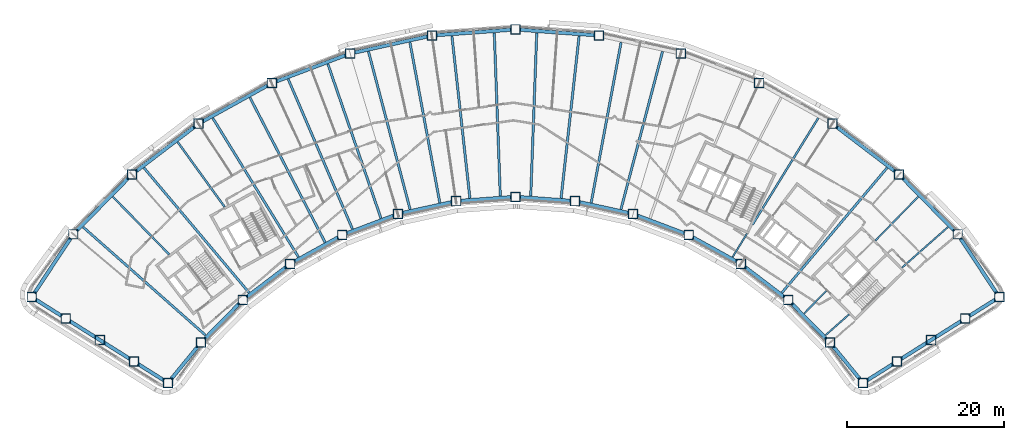
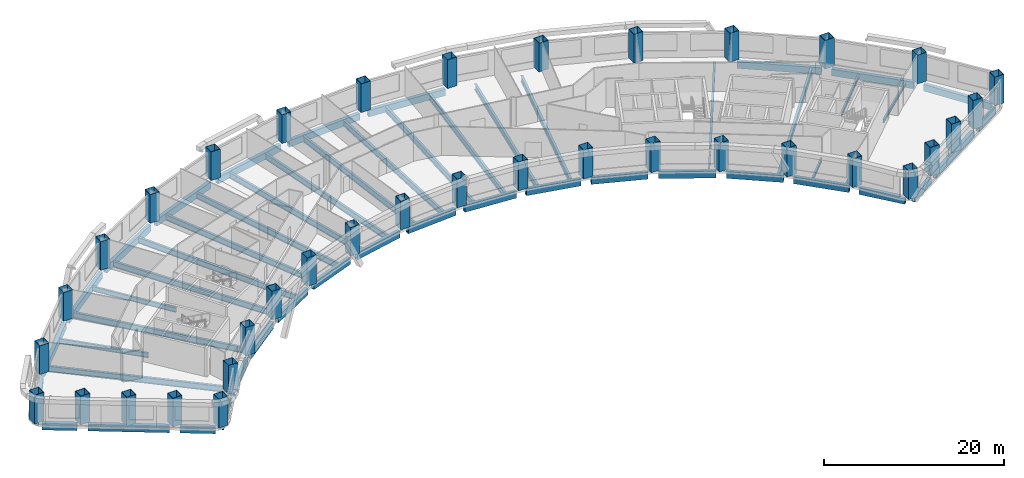
# One storey, part 1 of 15: 54 beams, 36 columns.
"""IFC4 building model written with IfcOpenShell, lengths in metres."""

from ifc_helpers import new_model, si_unit, direction, frame, origin, origin_2d, place, context, subcontext, project, spatial, hollow_rectangle, i_section, extrude, material, material_profile, profile_set, type_object, element, save


model = new_model("IFC4")

# Units and contexts
model_context = context("Model", 3, precision=1e-05, world=origin(), true_north=direction((0.0, 1.0)))
body_context = subcontext(model_context, "Body", "Model", "MODEL_VIEW")
ifc_project = project(units=[si_unit("LENGTHUNIT", "METRE"), si_unit("AREAUNIT", "SQUARE_METRE"), si_unit("VOLUMEUNIT", "CUBIC_METRE"), si_unit("PLANEANGLEUNIT", "RADIAN"), si_unit("MASSUNIT", "GRAM", prefix="KILO")], contexts=[model_context])

# Site, building, storey
site_placement = place(None, origin())
site = spatial("IfcSite", under=ifc_project, at=site_placement, CompositionType="ELEMENT")
building_placement = place(site_placement, origin())
building = spatial("IfcBuilding", under=site, at=building_placement, Name="Tuul Gate Civic Tower", CompositionType="ELEMENT")
storey_placement = place(building_placement, frame((0.0, 0.0, 78.0)))
storey = spatial("IfcBuildingStorey", under=building, at=storey_placement, Name="Level 17", CompositionType="ELEMENT", Elevation=78.0)

# Columns
ifc_material_1 = material(Name="Steel S355", Category="steel")
ifc_material_profile_1 = material_profile(ifc_material_1, hollow_rectangle(XDim=1.199951171875, YDim=1.199951171875, WallThickness=0.0400390625, at=origin_2d()), Name="BOX1200x1200x40")
ifc_profile_set_1 = profile_set([ifc_material_profile_1], Name="Steel S355")
column_type = type_object("IfcColumnType", Name="STR-COLUMN-BOX1200x1200x40", PredefinedType="COLUMN", material=ifc_profile_set_1)
for number, where, z_axis, x_axis, name in (
    (1, (66.47900390625, -15.4208984375, 0.0), (0.0, 0.0, 1.0), (1.0, 0.0, 0.0), "Column"),
    (2, (61.179931640625, -7.408935546875, 0.0), (0.0, 0.0, 1.0), (1.0, 0.0, 0.0), "Column"),
    (3, (53.7060546875, 0.216064453125, 0.0), (0.0, 0.0, 1.0), (1.0, 0.0, 0.0), "Column"),
    (4, (45.2109375, 6.68408203125, 0.0), (0.0, 0.0, 1.0), (1.0, 0.0, 0.0), "Column"),
    (5, (35.8720703125, 11.861083984375, 0.0), (0.0, 0.0, 1.0), (1.0, 0.0, 0.0), "Column"),
    (6, (25.885009765625, 15.636962890625, 0.0), (0.0, 0.0, 1.0), (1.0, 0.0, 0.0), "Column"),
    (7, (15.4580078125, 17.93505859375, 0.0), (0.0, 0.0, 1.0), (1.0, 0.0, 0.0), "Column"),
    (8, (4.80810546875, 18.70703125, 0.0), (0.0, 0.0, 1.0), (1.0, 0.0, 0.0), "Column"),
    (9, (-5.841064453125, 17.93505859375, 0.0), (0.0, 0.0, 1.0), (1.0, 0.0, 0.0), "Column"),
    (10, (-16.26806640625, 15.636962890625, 0.0), (0.0, 0.0, 1.0), (1.0, 0.0, 0.0), "Column"),
    (11, (-26.2548828125, 11.861083984375, 0.0), (0.0, 0.0, 1.0), (1.0, 0.0, 0.0), "Column"),
    (12, (-35.593994140625, 6.68408203125, 0.0), (0.0, 0.0, 1.0), (1.0, 0.0, 0.0), "Column"),
    (13, (-44.089111328125, 0.216064453125, 0.0), (0.0, 0.0, 1.0), (1.0, 0.0, 0.0), "Column"),
    (14, (-51.56396484375, -7.408935546875, 0.0), (0.0, 0.0, 1.0), (1.0, 0.0, 0.0), "Column"),
    (15, (-56.863037109375, -15.4208984375, 0.0), (0.0, 0.0, 1.0), (1.0, 0.0, 0.0), "Column"),
    (16, (-52.52001953125, -18.156005859375, 0.0), (0.0, 0.0, 1.0), (1.0, 0.0, 0.0), "Column"),
    (17, (-48.177978515625, -20.89111328125, 0.0), (0.0, 0.0, 1.0), (1.0, 0.0, 0.0), "Column"),
    (18, (-43.8349609375, -23.625, 0.0), (0.0, 0.0, 1.0), (1.0, 0.0, 0.0), "Column"),
    (19, (-39.492919921875, -26.360107421875, 0.0), (0.0, 0.0, 1.0), (1.0, 0.0, 0.0), "Column"),
    (20, (-35.27294921875, -21.218017578125, 0.0), (0.0, 0.0, 1.0), (1.0, 0.0, 0.0), "Column"),
    (21, (-29.9580078125, -15.7958984375, 0.0), (0.0, 0.0, 1.0), (1.0, 0.0, 0.0), "Column"),
    (22, (-23.91796875, -11.197021484375, 0.0), (0.0, 0.0, 1.0), (1.0, 0.0, 0.0), "Column"),
    (23, (-17.278076171875, -7.51708984375, 0.0), (0.0, 0.0, 1.0), (1.0, 0.0, 0.0), "Column"),
    (24, (-10.177001953125, -4.8310546875, 0.0), (0.0, 0.0, 1.0), (1.0, 0.0, 0.0), "Column"),
    (25, (-2.763916015625, -3.197998046875, 0.0), (0.0, 0.0, 1.0), (1.0, 0.0, 0.0), "Column"),
    (26, (4.80810546875, -2.64892578125, 0.0), (0.0, 0.0, 1.0), (1.0, 0.0, 0.0), "Column"),
    (27, (12.3798828125, -3.197998046875, 0.0), (0.0, 0.0, 1.0), (1.0, 0.0, 0.0), "Column"),
    (28, (19.7939453125, -4.8310546875, 0.0), (0.0, 0.0, 1.0), (1.0, 0.0, 0.0), "Column"),
    (29, (26.89501953125, -7.51708984375, 0.0), (0.0, 0.0, 1.0), (1.0, 0.0, 0.0), "Column"),
    (30, (33.534912109375, -11.197021484375, 0.0), (0.0, 0.0, 1.0), (1.0, 0.0, 0.0), "Column"),
    (31, (39.574951171875, -15.7958984375, 0.0), (0.0, 0.0, 1.0), (1.0, 0.0, 0.0), "Column"),
    (32, (44.888916015625, -21.218017578125, 0.0), (0.0, 0.0, 1.0), (1.0, 0.0, 0.0), "Column"),
    (33, (49.10888671875, -26.360107421875, 0.0), (0.0, 0.0, 1.0), (1.0, 0.0, 0.0), "Column"),
    (34, (53.451904296875, -23.625, 0.0), (0.0, 0.0, 1.0), (1.0, 0.0, 0.0), "Column"),
    (35, (57.7939453125, -20.89111328125, 0.0), (0.0, 0.0, 1.0), (1.0, 0.0, 0.0), "Column"),
    (36, (62.136962890625, -18.156005859375, 0.0), (0.0, 0.0, 1.0), (1.0, 0.0, 0.0), "Column"),
):
    element("IfcColumn", number, at=place(storey_placement, frame(where, z_axis=z_axis, x_axis=x_axis)), inside=storey, type_object=column_type, Name=name, PredefinedType="COLUMN", context=body_context, shape_type="SweptSolid", body=[
        extrude(hollow_rectangle(XDim=1.199951171875, YDim=1.199951171875, WallThickness=0.0400390625, at=origin_2d()), origin(), (0.0, 0.0, 1.0), 3.89990234375),
    ])

# Beams
ifc_material_2 = material(Name="Steel S355", Category="steel")
ifc_material_profile_2 = material_profile(ifc_material_2, i_section(OverallWidth=0.199951171875, OverallDepth=0.5, WebThickness=0.010009765625, FlangeThickness=0.01611328125, at=origin_2d()), Name="PG500x200x10x16")
ifc_profile_set_2 = profile_set([ifc_material_profile_2], Name="Steel S355")
beam_type_1 = type_object("IfcBeamType", Name="STR-FLOOR BEAM-PG500x200x10x16", PredefinedType="BEAM", material=ifc_profile_set_2)
beam_1_placement = place(storey_placement, frame((44.323486328125, -20.28369140625, -0.550048828125), z_axis=(0.749461130255, 0.662048347356, 0.0), x_axis=(-0.662048347356, 0.749461130255, 0.0)))
element("IfcBeam", 37, at=beam_1_placement, inside=storey, type_object=beam_type_1, Name="Floor beam", PredefinedType="BEAM", context=body_context, shape_type="SweptSolid", body=[
    extrude(i_section(OverallWidth=0.199951171875, OverallDepth=0.5, WebThickness=0.010009765625, FlangeThickness=0.01611328125, at=origin_2d()), origin(), (0.0, 0.0, 1.0), 4.0107421875),
])
beam_2_placement = place(storey_placement, frame((54.083251953125, -11.661865234375, -0.550048828125), z_axis=(0.749435188798, 0.662077712803, 0.0), x_axis=(-0.662077712803, 0.749435188798, 0.0)))
element("IfcBeam", 38, at=beam_2_placement, inside=storey, type_object=beam_type_1, Name="Floor beam", PredefinedType="BEAM", context=body_context, shape_type="SweptSolid", body=[
    extrude(i_section(OverallWidth=0.199951171875, OverallDepth=0.5, WebThickness=0.010009765625, FlangeThickness=0.01611328125, at=origin_2d()), origin(), (0.0, 0.0, 1.0), 7.8056640625),
])
beam_3_placement = place(storey_placement, frame((41.606201171875, -17.511474609375, -0.550048828125), z_axis=(0.698677872804, 0.71543639134, 0.0), x_axis=(-0.71543639134, 0.698677872804, 0.0)))
element("IfcBeam", 39, at=beam_3_placement, inside=storey, type_object=beam_type_1, Name="Floor beam", PredefinedType="BEAM", context=body_context, shape_type="SweptSolid", body=[
    extrude(i_section(OverallWidth=0.199951171875, OverallDepth=0.5, WebThickness=0.010009765625, FlangeThickness=0.01611328125, at=origin_2d()), origin(), (0.0, 0.0, 1.0), 4.00634765625),
])
beam_4_placement = place(storey_placement, frame((50.69482421875, -8.205078125, -0.550048828125), z_axis=(0.698665360958, 0.715448609893, 0.0), x_axis=(-0.715448609893, 0.698665360958, 0.0)))
element("IfcBeam", 40, at=beam_4_placement, inside=storey, type_object=beam_type_1, Name="Floor beam", PredefinedType="BEAM", context=body_context, shape_type="SweptSolid", body=[
    extrude(i_section(OverallWidth=0.199951171875, OverallDepth=0.5, WebThickness=0.010009765625, FlangeThickness=0.01611328125, at=origin_2d()), origin(), (0.0, 0.0, 1.0), 7.797119140625),
])
beam_5_placement = place(storey_placement, frame((32.47412109375, -10.3232421875, -0.550048828125), z_axis=(0.524881180779, 0.851175508379, 0.0), x_axis=(-0.851175508379, 0.524881180779, 0.0)))
element("IfcBeam", 41, at=beam_5_placement, inside=storey, type_object=beam_type_1, Name="Floor beam", PredefinedType="BEAM", context=body_context, shape_type="SweptSolid", body=[
    extrude(i_section(OverallWidth=0.199951171875, OverallDepth=0.5, WebThickness=0.010009765625, FlangeThickness=0.01611328125, at=origin_2d()), origin(), (0.0, 0.0, 1.0), 3.527099609375),
])
ifc_material_3 = material(Name="Steel S355", Category="steel")
ifc_material_profile_3 = material_profile(ifc_material_3, i_section(OverallWidth=0.25, OverallDepth=0.64990234375, WebThickness=0.011962890625, FlangeThickness=0.02001953125, at=origin_2d()), Name="PG650x250x12x20")
ifc_profile_set_3 = profile_set([ifc_material_profile_3], Name="Steel S355")
beam_type_2 = type_object("IfcBeamType", Name="STR-FLOOR BEAM-PG650x250x12x20", PredefinedType="BEAM", material=ifc_profile_set_3)
beam_6_placement = place(storey_placement, frame((35.022216796875, -6.19091796875, -0.625), z_axis=(0.52485048584, 0.851194435786, 0.0), x_axis=(-0.851194435786, 0.52485048584, 0.0)))
element("IfcBeam", 42, at=beam_6_placement, inside=storey, type_object=beam_type_2, Name="Floor beam", PredefinedType="BEAM", context=body_context, shape_type="SweptSolid", body=[
    extrude(i_section(OverallWidth=0.25, OverallDepth=0.64990234375, WebThickness=0.011962890625, FlangeThickness=0.02001953125, at=origin_2d()), origin(), (0.0, 0.0, 1.0), 15.967529296875),
])
beam_7_placement = place(storey_placement, frame((-32.2705078125, -3.930419921875, -0.625), z_axis=(-0.586085724812, 0.81024905009, 0.0), x_axis=(-0.81024905009, -0.586085724812, 0.0)))
element("IfcBeam", 43, at=beam_7_placement, inside=storey, type_object=beam_type_2, Name="Floor beam", PredefinedType="BEAM", context=body_context, shape_type="SweptSolid", body=[
    extrude(i_section(OverallWidth=0.25, OverallDepth=0.64990234375, WebThickness=0.011962890625, FlangeThickness=0.02001953125, at=origin_2d()), origin(), (0.0, 0.0, 1.0), 10.211669921875),
])
beam_8_placement = place(storey_placement, frame((-39.3271484375, -9.998291015625, -0.625), z_axis=(-0.698680863585, 0.715433470604, 0.0), x_axis=(-0.715433470604, -0.698680863585, 0.0)))
element("IfcBeam", 44, at=beam_8_placement, inside=storey, type_object=beam_type_2, Name="Floor beam", PredefinedType="BEAM", context=body_context, shape_type="SweptSolid", body=[
    extrude(i_section(OverallWidth=0.25, OverallDepth=0.64990234375, WebThickness=0.011962890625, FlangeThickness=0.02001953125, at=origin_2d()), origin(), (0.0, 0.0, 1.0), 10.30322265625),
])
ifc_material_4 = material(Name="Steel S355", Category="steel")
ifc_material_profile_4 = material_profile(ifc_material_4, i_section(OverallWidth=0.300048828125, OverallDepth=0.800048828125, WebThickness=0.013916015625, FlangeThickness=0.02490234375, at=origin_2d()), Name="PG800x300x14x25")
ifc_profile_set_4 = profile_set([ifc_material_profile_4], Name="Steel S355")
beam_type_3 = type_object("IfcBeamType", Name="STR-FLOOR BEAM-PG800x300x14x25", PredefinedType="BEAM", material=ifc_profile_set_4)
beam_9_placement = place(storey_placement, frame((38.76611328125, -14.86572265625, -0.699951171875), z_axis=(0.644123110179, 0.764921838447, 0.0), x_axis=(-0.764921838447, 0.644123110179, 0.0)))
element("IfcBeam", 45, at=beam_9_placement, inside=storey, type_object=beam_type_3, Name="Floor beam", PredefinedType="BEAM", context=body_context, shape_type="SweptSolid", body=[
    extrude(i_section(OverallWidth=0.300048828125, OverallDepth=0.800048828125, WebThickness=0.013916015625, FlangeThickness=0.02490234375, at=origin_2d()), origin(), (0.0, 0.0, 1.0), 20.824951171875),
])
beam_10_placement = place(storey_placement, frame((18.246826171875, -4.234130859375, -0.699951171875), z_axis=(0.255002430405, 0.966940412067, 0.0), x_axis=(-0.966940412067, 0.255002430405, 0.0)))
element("IfcBeam", 46, at=beam_10_placement, inside=storey, type_object=beam_type_3, Name="Floor beam", PredefinedType="BEAM", context=body_context, shape_type="SweptSolid", body=[
    extrude(i_section(OverallWidth=0.300048828125, OverallDepth=0.800048828125, WebThickness=0.013916015625, FlangeThickness=0.02490234375, at=origin_2d()), origin(), (0.0, 0.0, 1.0), 20.81689453125),
])
beam_11_placement = place(storey_placement, frame((14.45654296875, -3.3994140625, -0.699951171875), z_axis=(0.1831360046, 0.983087587054, 0.0), x_axis=(-0.983087587054, 0.1831360046, 0.0)))
element("IfcBeam", 47, at=beam_11_placement, inside=storey, type_object=beam_type_3, Name="Floor beam", PredefinedType="BEAM", context=body_context, shape_type="SweptSolid", body=[
    extrude(i_section(OverallWidth=0.300048828125, OverallDepth=0.800048828125, WebThickness=0.013916015625, FlangeThickness=0.02490234375, at=origin_2d()), origin(), (0.0, 0.0, 1.0), 20.811279296875),
])
beam_12_placement = place(storey_placement, frame((10.619384765625, -2.819580078125, -0.699951171875), z_axis=(0.1102757583, 0.993901029847, 0.0), x_axis=(-0.993901029847, 0.1102757583, 0.0)))
element("IfcBeam", 48, at=beam_12_placement, inside=storey, type_object=beam_type_3, Name="Floor beam", PredefinedType="BEAM", context=body_context, shape_type="SweptSolid", body=[
    extrude(i_section(OverallWidth=0.300048828125, OverallDepth=0.800048828125, WebThickness=0.013916015625, FlangeThickness=0.02490234375, at=origin_2d()), origin(), (0.0, 0.0, 1.0), 20.815185546875),
])
for number, where, z_axis, x_axis, name in (
    (49, (6.74853515625, -2.5390625, -0.699951171875), (0.036832478792, 0.999321454041, 0.0), (-0.999321454041, 0.036832478792, 0.0), "Floor beam"),
    (50, (2.867919921875, -2.5390625, -0.699951171875), (-0.036832478792, 0.999321454041, 0.0), (-0.999321454041, -0.036832478792, 0.0), "Floor beam"),
):
    element("IfcBeam", number, at=place(storey_placement, frame(where, z_axis=z_axis, x_axis=x_axis)), inside=storey, type_object=beam_type_3, Name=name, PredefinedType="BEAM", context=body_context, shape_type="SweptSolid", body=[
        extrude(i_section(OverallWidth=0.300048828125, OverallDepth=0.800048828125, WebThickness=0.013916015625, FlangeThickness=0.02490234375, at=origin_2d()), origin(), (0.0, 0.0, 1.0), 20.813232421875),
    ])
beam_13_placement = place(storey_placement, frame((-1.0029296875, -2.819580078125, -0.699951171875), z_axis=(-0.110287344613, 0.993899744249, 0.0), x_axis=(-0.993899744249, -0.110287344613, 0.0)))
element("IfcBeam", 51, at=beam_13_placement, inside=storey, type_object=beam_type_3, Name="Floor beam", PredefinedType="BEAM", context=body_context, shape_type="SweptSolid", body=[
    extrude(i_section(OverallWidth=0.300048828125, OverallDepth=0.800048828125, WebThickness=0.013916015625, FlangeThickness=0.02490234375, at=origin_2d()), origin(), (0.0, 0.0, 1.0), 20.815185546875),
])
beam_14_placement = place(storey_placement, frame((-4.84033203125, -3.3994140625, -0.699951171875), z_axis=(-0.183138116697, 0.983087193596, 0.0), x_axis=(-0.983087193596, -0.183138116697, 0.0)))
element("IfcBeam", 52, at=beam_14_placement, inside=storey, type_object=beam_type_3, Name="Floor beam", PredefinedType="BEAM", context=body_context, shape_type="SweptSolid", body=[
    extrude(i_section(OverallWidth=0.300048828125, OverallDepth=0.800048828125, WebThickness=0.013916015625, FlangeThickness=0.02490234375, at=origin_2d()), origin(), (0.0, 0.0, 1.0), 20.81103515625),
])
beam_15_placement = place(storey_placement, frame((-8.63037109375, -4.234375, -0.699951171875), z_axis=(-0.255002430405, 0.966940412067, 0.0), x_axis=(-0.966940412067, -0.255002430405, 0.0)))
element("IfcBeam", 53, at=beam_15_placement, inside=storey, type_object=beam_type_3, Name="Floor beam", PredefinedType="BEAM", context=body_context, shape_type="SweptSolid", body=[
    extrude(i_section(OverallWidth=0.300048828125, OverallDepth=0.800048828125, WebThickness=0.013916015625, FlangeThickness=0.02490234375, at=origin_2d()), origin(), (0.0, 0.0, 1.0), 20.81689453125),
])
beam_16_placement = place(storey_placement, frame((-12.337890625, -5.381103515625, -0.699951171875), z_axis=(-0.325490585261, 0.945545281257, 0.0), x_axis=(-0.945545281257, -0.325490585261, 0.0)))
element("IfcBeam", 54, at=beam_16_placement, inside=storey, type_object=beam_type_3, Name="Floor beam", PredefinedType="BEAM", context=body_context, shape_type="SweptSolid", body=[
    extrude(i_section(OverallWidth=0.300048828125, OverallDepth=0.800048828125, WebThickness=0.013916015625, FlangeThickness=0.02490234375, at=origin_2d()), origin(), (0.0, 0.0, 1.0), 20.80908203125),
])
beam_17_placement = place(storey_placement, frame((-15.968017578125, -6.754150390625, -0.699951171875), z_axis=(-0.39421223202, 0.919019431854, 0.0), x_axis=(-0.919019431854, -0.39421223202, 0.0)))
element("IfcBeam", 55, at=beam_17_placement, inside=storey, type_object=beam_type_3, Name="Floor beam", PredefinedType="BEAM", context=body_context, shape_type="SweptSolid", body=[
    extrude(i_section(OverallWidth=0.300048828125, OverallDepth=0.800048828125, WebThickness=0.013916015625, FlangeThickness=0.02490234375, at=origin_2d()), origin(), (0.0, 0.0, 1.0), 20.820068359375),
])
beam_18_placement = place(storey_placement, frame((-19.462890625, -8.442138671875, -0.699951171875), z_axis=(-0.460776704907, 0.887516100257, 0.0), x_axis=(-0.887516100257, -0.460776704907, 0.0)))
element("IfcBeam", 56, at=beam_18_placement, inside=storey, type_object=beam_type_3, Name="Floor beam", PredefinedType="BEAM", context=body_context, shape_type="SweptSolid", body=[
    extrude(i_section(OverallWidth=0.300048828125, OverallDepth=0.800048828125, WebThickness=0.013916015625, FlangeThickness=0.02490234375, at=origin_2d()), origin(), (0.0, 0.0, 1.0), 20.80810546875),
])
beam_19_placement = place(storey_placement, frame((-22.857666015625, -10.323486328125, -0.699951171875), z_axis=(-0.524858688135, 0.851189378158, 0.0), x_axis=(-0.851189378158, -0.524858688135, 0.0)))
element("IfcBeam", 57, at=beam_19_placement, inside=storey, type_object=beam_type_3, Name="Floor beam", PredefinedType="BEAM", context=body_context, shape_type="SweptSolid", body=[
    extrude(i_section(OverallWidth=0.300048828125, OverallDepth=0.800048828125, WebThickness=0.013916015625, FlangeThickness=0.02490234375, at=origin_2d()), origin(), (0.0, 0.0, 1.0), 20.822265625),
])
beam_20_placement = place(storey_placement, frame((-29.1494140625, -14.8662109375, -0.699951171875), z_axis=(-0.644129969572, 0.764916062257, 0.0), x_axis=(-0.764916062257, -0.644129969572, 0.0)))
element("IfcBeam", 58, at=beam_20_placement, inside=storey, type_object=beam_type_3, Name="Floor beam", PredefinedType="BEAM", context=body_context, shape_type="SweptSolid", body=[
    extrude(i_section(OverallWidth=0.300048828125, OverallDepth=0.800048828125, WebThickness=0.013916015625, FlangeThickness=0.02490234375, at=origin_2d()), origin(), (0.0, 0.0, 1.0), 20.8251953125),
])
beam_21_placement = place(storey_placement, frame((-34.707275390625, -20.28369140625, -0.699951171875), z_axis=(-0.749442289346, 0.662069675291, 0.0), x_axis=(-0.662069675291, -0.749442289346, 0.0)))
element("IfcBeam", 59, at=beam_21_placement, inside=storey, type_object=beam_type_3, Name="Floor beam", PredefinedType="BEAM", context=body_context, shape_type="SweptSolid", body=[
    extrude(i_section(OverallWidth=0.300048828125, OverallDepth=0.800048828125, WebThickness=0.013916015625, FlangeThickness=0.02490234375, at=origin_2d()), origin(), (0.0, 0.0, 1.0), 20.828369140625),
])
ifc_material_5 = material(Name="Steel S355", Category="steel")
ifc_material_profile_5 = material_profile(ifc_material_5, hollow_rectangle(XDim=0.449951171875, YDim=0.89990234375, WallThickness=0.02490234375, at=origin_2d()), Name="BOX900x450x25")
ifc_profile_set_5 = profile_set([ifc_material_profile_5], Name="Steel S355")
beam_type_4 = type_object("IfcBeamType", Name="STR-SPANDREL BEAM-BOX900x450x25", PredefinedType="BEAM", material=ifc_profile_set_5)
beam_22_placement = place(storey_placement, frame((66.14794921875, -14.920654296875, -0.75), z_axis=(-0.551633408665, 0.834086675619, 0.0), x_axis=(-0.834086675619, -0.551633408665, 0.0)))
element("IfcBeam", 60, at=beam_22_placement, inside=storey, type_object=beam_type_4, Name="Spandrel beam", PredefinedType="BEAM", context=body_context, shape_type="SweptSolid", body=[
    extrude(hollow_rectangle(XDim=0.449951171875, YDim=0.89990234375, WallThickness=0.02490234375, at=origin_2d()), origin(), (0.0, 0.0, 1.0), 8.40576171875),
])
beam_23_placement = place(storey_placement, frame((60.760009765625, -6.98046875, -0.75), z_axis=(-0.700000063817, 0.714142780301, 0.0), x_axis=(-0.714142780301, -0.700000063817, 0.0)))
element("IfcBeam", 61, at=beam_23_placement, inside=storey, type_object=beam_type_4, Name="Spandrel beam", PredefinedType="BEAM", context=body_context, shape_type="SweptSolid", body=[
    extrude(hollow_rectangle(XDim=0.449951171875, YDim=0.89990234375, WallThickness=0.02490234375, at=origin_2d()), origin(), (0.0, 0.0, 1.0), 9.477294921875),
])
beam_24_placement = place(storey_placement, frame((53.228515625, 0.57958984375, -0.75), z_axis=(-0.795626241327, 0.605787821033, 0.0), x_axis=(-0.605787821033, -0.795626241327, 0.0)))
element("IfcBeam", 62, at=beam_24_placement, inside=storey, type_object=beam_type_4, Name="Spandrel beam", PredefinedType="BEAM", context=body_context, shape_type="SweptSolid", body=[
    extrude(hollow_rectangle(XDim=0.449951171875, YDim=0.89990234375, WallThickness=0.02490234375, at=origin_2d()), origin(), (0.0, 0.0, 1.0), 9.476806640625),
])
beam_25_placement = place(storey_placement, frame((14.859619140625, 17.978271484375, -0.75), z_axis=(-0.997382561925, 0.07230508397, 0.0), x_axis=(-0.07230508397, -0.997382561925, 0.0)))
element("IfcBeam", 63, at=beam_25_placement, inside=storey, type_object=beam_type_4, Name="Spandrel beam", PredefinedType="BEAM", context=body_context, shape_type="SweptSolid", body=[
    extrude(hollow_rectangle(XDim=0.449951171875, YDim=0.89990234375, WallThickness=0.02490234375, at=origin_2d()), origin(), (0.0, 0.0, 1.0), 9.47802734375),
])
beam_26_placement = place(storey_placement, frame((4.20947265625, 18.66357421875, -0.75), z_axis=(-0.99738202317, -0.072312515214, 0.0), x_axis=(0.072312515214, -0.99738202317, 0.0)))
element("IfcBeam", 64, at=beam_26_placement, inside=storey, type_object=beam_type_4, Name="Spandrel beam", PredefinedType="BEAM", context=body_context, shape_type="SweptSolid", body=[
    extrude(hollow_rectangle(XDim=0.449951171875, YDim=0.89990234375, WallThickness=0.02490234375, at=origin_2d()), origin(), (0.0, 0.0, 1.0), 9.47705078125),
])
beam_27_placement = place(storey_placement, frame((-6.427001953125, 17.805908203125, -0.75), z_axis=(-0.97656320303, -0.215230830708, 0.0), x_axis=(0.215230830708, -0.97656320303, 0.0)))
element("IfcBeam", 65, at=beam_27_placement, inside=storey, type_object=beam_type_4, Name="Spandrel beam", PredefinedType="BEAM", context=body_context, shape_type="SweptSolid", body=[
    extrude(hollow_rectangle(XDim=0.449951171875, YDim=0.89990234375, WallThickness=0.02490234375, at=origin_2d()), origin(), (0.0, 0.0, 1.0), 9.477294921875),
])
beam_28_placement = place(storey_placement, frame((-16.829345703125, 15.4248046875, -0.75), z_axis=(-0.935376104649, -0.353654552993, 0.0), x_axis=(0.353654552993, -0.935376104649, 0.0)))
element("IfcBeam", 66, at=beam_28_placement, inside=storey, type_object=beam_type_4, Name="Spandrel beam", PredefinedType="BEAM", context=body_context, shape_type="SweptSolid", body=[
    extrude(hollow_rectangle(XDim=0.449951171875, YDim=0.89990234375, WallThickness=0.02490234375, at=origin_2d()), origin(), (0.0, 0.0, 1.0), 9.47705078125),
])
beam_29_placement = place(storey_placement, frame((-26.77978515625, 11.570068359375, -0.75), z_axis=(-0.874608888761, -0.484829136604, 0.0), x_axis=(0.484829136604, -0.874608888761, 0.0)))
element("IfcBeam", 67, at=beam_29_placement, inside=storey, type_object=beam_type_4, Name="Spandrel beam", PredefinedType="BEAM", context=body_context, shape_type="SweptSolid", body=[
    extrude(hollow_rectangle(XDim=0.449951171875, YDim=0.89990234375, WallThickness=0.02490234375, at=origin_2d()), origin(), (0.0, 0.0, 1.0), 9.47802734375),
])
beam_30_placement = place(storey_placement, frame((-36.0712890625, 6.320556640625, -0.75), z_axis=(-0.795635695058, -0.605775404543, 0.0), x_axis=(0.605775404543, -0.795635695058, 0.0)))
element("IfcBeam", 68, at=beam_30_placement, inside=storey, type_object=beam_type_4, Name="Spandrel beam", PredefinedType="BEAM", context=body_context, shape_type="SweptSolid", body=[
    extrude(hollow_rectangle(XDim=0.449951171875, YDim=0.89990234375, WallThickness=0.02490234375, at=origin_2d()), origin(), (0.0, 0.0, 1.0), 9.47705078125),
])
beam_31_placement = place(storey_placement, frame((-44.509033203125, -0.21240234375, -0.75), z_axis=(-0.700052610293, -0.714091270653, 0.0), x_axis=(0.714091270653, -0.700052610293, 0.0)))
element("IfcBeam", 69, at=beam_31_placement, inside=storey, type_object=beam_type_4, Name="Spandrel beam", PredefinedType="BEAM", context=body_context, shape_type="SweptSolid", body=[
    extrude(hollow_rectangle(XDim=0.449951171875, YDim=0.89990234375, WallThickness=0.02490234375, at=origin_2d()), origin(), (0.0, 0.0, 1.0), 9.477783203125),
])
beam_32_placement = place(storey_placement, frame((-51.89501953125, -7.909423828125, -0.75), z_axis=(-0.551633408665, -0.834086675619, 0.0), x_axis=(0.834086675619, -0.551633408665, 0.0)))
element("IfcBeam", 70, at=beam_32_placement, inside=storey, type_object=beam_type_4, Name="Spandrel beam", PredefinedType="BEAM", context=body_context, shape_type="SweptSolid", body=[
    extrude(hollow_rectangle(XDim=0.449951171875, YDim=0.89990234375, WallThickness=0.02490234375, at=origin_2d()), origin(), (0.0, 0.0, 1.0), 8.40576171875),
])
beam_33_placement = place(storey_placement, frame((-56.355224609375, -15.74072265625, -0.75), z_axis=(0.846183069254, -0.532892309297, 0.0), x_axis=(0.532892309297, 0.846183069254, 0.0)))
element("IfcBeam", 71, at=beam_33_placement, inside=storey, type_object=beam_type_4, Name="Spandrel beam", PredefinedType="BEAM", context=body_context, shape_type="SweptSolid", body=[
    extrude(hollow_rectangle(XDim=0.449951171875, YDim=0.89990234375, WallThickness=0.02490234375, at=origin_2d()), origin(), (0.0, 0.0, 1.0), 3.93212890625),
])
beam_34_placement = place(storey_placement, frame((-52.01220703125, -18.475830078125, -0.75), z_axis=(0.846210797287, -0.532848277237, 0.0), x_axis=(0.532848277237, 0.846210797287, 0.0)))
element("IfcBeam", 72, at=beam_34_placement, inside=storey, type_object=beam_type_4, Name="Spandrel beam", PredefinedType="BEAM", context=body_context, shape_type="SweptSolid", body=[
    extrude(hollow_rectangle(XDim=0.449951171875, YDim=0.89990234375, WallThickness=0.02490234375, at=origin_2d()), origin(), (0.0, 0.0, 1.0), 9.063232421875),
])
beam_35_placement = place(storey_placement, frame((-43.327392578125, -23.94482421875, -0.75), z_axis=(0.846130163467, -0.532976309484, 0.0), x_axis=(0.532976309484, 0.846130163467, 0.0)))
element("IfcBeam", 73, at=beam_35_placement, inside=storey, type_object=beam_type_4, Name="Spandrel beam", PredefinedType="BEAM", context=body_context, shape_type="SweptSolid", body=[
    extrude(hollow_rectangle(XDim=0.449951171875, YDim=0.89990234375, WallThickness=0.02490234375, at=origin_2d()), origin(), (0.0, 0.0, 1.0), 3.931640625),
])
beam_36_placement = place(storey_placement, frame((-39.1123046875, -25.896240234375, -0.75), z_axis=(0.634405130356, 0.773000731292, 0.0), x_axis=(-0.773000731292, 0.634405130356, 0.0)))
element("IfcBeam", 74, at=beam_36_placement, inside=storey, type_object=beam_type_4, Name="Spandrel beam", PredefinedType="BEAM", context=body_context, shape_type="SweptSolid", body=[
    extrude(hollow_rectangle(XDim=0.449951171875, YDim=0.89990234375, WallThickness=0.02490234375, at=origin_2d()), origin(), (0.0, 0.0, 1.0), 5.451904296875),
])
beam_37_placement = place(storey_placement, frame((-34.85302734375, -20.78955078125, -0.75), z_axis=(0.70002559028, 0.714117758464, 0.0), x_axis=(-0.714117758464, 0.70002559028, 0.0)))
element("IfcBeam", 75, at=beam_37_placement, inside=storey, type_object=beam_type_4, Name="Spandrel beam", PredefinedType="BEAM", context=body_context, shape_type="SweptSolid", body=[
    extrude(hollow_rectangle(XDim=0.449951171875, YDim=0.89990234375, WallThickness=0.02490234375, at=origin_2d()), origin(), (0.0, 0.0, 1.0), 6.392822265625),
])
for number, where, z_axis, x_axis, name in (
    (76, (-29.480712890625, -15.4326171875, -0.75), (0.79562457822, 0.605790005308, 0.0), (-0.605790005308, 0.79562457822, 0.0), "Spandrel beam"),
    (77, (-23.393310546875, -10.90625, -0.75), (0.87465408875, 0.484747588992, 0.0), (-0.484747588992, 0.87465408875, 0.0), "Spandrel beam"),
    (78, (-16.716796875, -7.3046875, -0.75), (0.9353207628, 0.353800891286, 0.0), (-0.353800891286, 0.9353207628, 0.0), "Spandrel beam"),
):
    element("IfcBeam", number, at=place(storey_placement, frame(where, z_axis=z_axis, x_axis=x_axis)), inside=storey, type_object=beam_type_4, Name=name, PredefinedType="BEAM", context=body_context, shape_type="SweptSolid", body=[
        extrude(hollow_rectangle(XDim=0.449951171875, YDim=0.89990234375, WallThickness=0.02490234375, at=origin_2d()), origin(), (0.0, 0.0, 1.0), 6.391845703125),
    ])
beam_38_placement = place(storey_placement, frame((-9.591064453125, -4.701904296875, -0.75), z_axis=(0.976588960757, 0.215113927321, 0.0), x_axis=(-0.215113927321, 0.976588960757, 0.0)))
element("IfcBeam", 79, at=beam_38_placement, inside=storey, type_object=beam_type_4, Name="Spandrel beam", PredefinedType="BEAM", context=body_context, shape_type="SweptSolid", body=[
    extrude(hollow_rectangle(XDim=0.449951171875, YDim=0.89990234375, WallThickness=0.02490234375, at=origin_2d()), origin(), (0.0, 0.0, 1.0), 6.390869140625),
])
for number, where, z_axis, x_axis, name in (
    (80, (-2.16552734375, -3.154541015625, -0.75), (0.997382520948, 0.072305649209, 0.0), (-0.072305649209, 0.997382520948, 0.0), "Spandrel beam"),
    (81, (5.406494140625, -2.6923828125, -0.75), (0.997382520948, -0.072305649209, 0.0), (0.072305649209, 0.997382520948, 0.0), "Spandrel beam"),
):
    element("IfcBeam", number, at=place(storey_placement, frame(where, z_axis=z_axis, x_axis=x_axis)), inside=storey, type_object=beam_type_4, Name=name, PredefinedType="BEAM", context=body_context, shape_type="SweptSolid", body=[
        extrude(hollow_rectangle(XDim=0.449951171875, YDim=0.89990234375, WallThickness=0.02490234375, at=origin_2d()), origin(), (0.0, 0.0, 1.0), 6.391845703125),
    ])
beam_39_placement = place(storey_placement, frame((12.966064453125, -3.3271484375, -0.75), z_axis=(0.976594263107, -0.215089853935, 0.0), x_axis=(0.215089853935, 0.976594263107, 0.0)))
element("IfcBeam", 82, at=beam_39_placement, inside=storey, type_object=beam_type_4, Name="Spandrel beam", PredefinedType="BEAM", context=body_context, shape_type="SweptSolid", body=[
    extrude(hollow_rectangle(XDim=0.449951171875, YDim=0.89990234375, WallThickness=0.02490234375, at=origin_2d()), origin(), (0.0, 0.0, 1.0), 6.3916015625),
])
for number, where, z_axis, x_axis, name in (
    (83, (20.355224609375, -5.043212890625, -0.75), (0.9353207628, -0.353800891286, 0.0), (0.353800891286, 0.9353207628, 0.0), "Spandrel beam"),
    (84, (27.419677734375, -7.807861328125, -0.75), (0.87465408875, -0.484747588992, 0.0), (0.484747588992, 0.87465408875, 0.0), "Spandrel beam"),
):
    element("IfcBeam", number, at=place(storey_placement, frame(where, z_axis=z_axis, x_axis=x_axis)), inside=storey, type_object=beam_type_4, Name=name, PredefinedType="BEAM", context=body_context, shape_type="SweptSolid", body=[
        extrude(hollow_rectangle(XDim=0.449951171875, YDim=0.89990234375, WallThickness=0.02490234375, at=origin_2d()), origin(), (0.0, 0.0, 1.0), 6.391845703125),
    ])
beam_40_placement = place(storey_placement, frame((34.012451171875, -11.560546875, -0.75), z_axis=(0.795610560321, -0.605808415512, 0.0), x_axis=(0.605808415512, 0.795610560321, 0.0)))
element("IfcBeam", 85, at=beam_40_placement, inside=storey, type_object=beam_type_4, Name="Spandrel beam", PredefinedType="BEAM", context=body_context, shape_type="SweptSolid", body=[
    extrude(hollow_rectangle(XDim=0.449951171875, YDim=0.89990234375, WallThickness=0.02490234375, at=origin_2d()), origin(), (0.0, 0.0, 1.0), 6.3916015625),
])
beam_41_placement = place(storey_placement, frame((39.994873046875, -16.224609375, -0.75), z_axis=(0.699966768849, -0.714175414381, 0.0), x_axis=(0.714175414381, 0.699966768849, 0.0)))
element("IfcBeam", 86, at=beam_41_placement, inside=storey, type_object=beam_type_4, Name="Spandrel beam", PredefinedType="BEAM", context=body_context, shape_type="SweptSolid", body=[
    extrude(hollow_rectangle(XDim=0.449951171875, YDim=0.89990234375, WallThickness=0.02490234375, at=origin_2d()), origin(), (0.0, 0.0, 1.0), 6.391845703125),
])
beam_42_placement = place(storey_placement, frame((45.26953125, -21.681884765625, -0.75), z_axis=(0.634405130356, -0.773000731292, 0.0), x_axis=(0.773000731292, 0.634405130356, 0.0)))
element("IfcBeam", 87, at=beam_42_placement, inside=storey, type_object=beam_type_4, Name="Spandrel beam", PredefinedType="BEAM", context=body_context, shape_type="SweptSolid", body=[
    extrude(hollow_rectangle(XDim=0.449951171875, YDim=0.89990234375, WallThickness=0.02490234375, at=origin_2d()), origin(), (0.0, 0.0, 1.0), 5.451904296875),
])
beam_43_placement = place(storey_placement, frame((49.61669921875, -26.040283203125, -0.75), z_axis=(0.846200698958, 0.532864313951, 0.0), x_axis=(-0.532864313951, 0.846200698958, 0.0)))
element("IfcBeam", 88, at=beam_43_placement, inside=storey, type_object=beam_type_4, Name="Spandrel beam", PredefinedType="BEAM", context=body_context, shape_type="SweptSolid", body=[
    extrude(hollow_rectangle(XDim=0.449951171875, YDim=0.89990234375, WallThickness=0.02490234375, at=origin_2d()), origin(), (0.0, 0.0, 1.0), 3.932373046875),
])
beam_44_placement = place(storey_placement, frame((53.959716796875, -23.30517578125, -0.75), z_axis=(0.846218445282, 0.532836131343, 0.0), x_axis=(-0.532836131343, 0.846218445282, 0.0)))
element("IfcBeam", 89, at=beam_44_placement, inside=storey, type_object=beam_type_4, Name="Spandrel beam", PredefinedType="BEAM", context=body_context, shape_type="SweptSolid", body=[
    extrude(hollow_rectangle(XDim=0.449951171875, YDim=0.89990234375, WallThickness=0.02490234375, at=origin_2d()), origin(), (0.0, 0.0, 1.0), 9.0634765625),
])
beam_45_placement = place(storey_placement, frame((62.644775390625, -17.836181640625, -0.75), z_axis=(0.846130163467, 0.532976309484, 0.0), x_axis=(-0.532976309484, 0.846130163467, 0.0)))
element("IfcBeam", 90, at=beam_45_placement, inside=storey, type_object=beam_type_4, Name="Spandrel beam", PredefinedType="BEAM", context=body_context, shape_type="SweptSolid", body=[
    extrude(hollow_rectangle(XDim=0.449951171875, YDim=0.89990234375, WallThickness=0.02490234375, at=origin_2d()), origin(), (0.0, 0.0, 1.0), 3.931640625),
])

save(model, "model.ifc")
